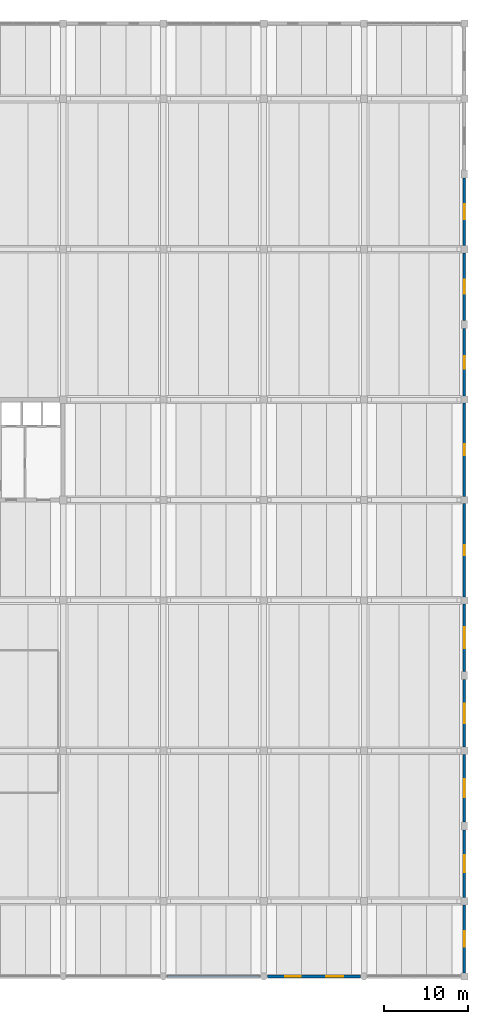
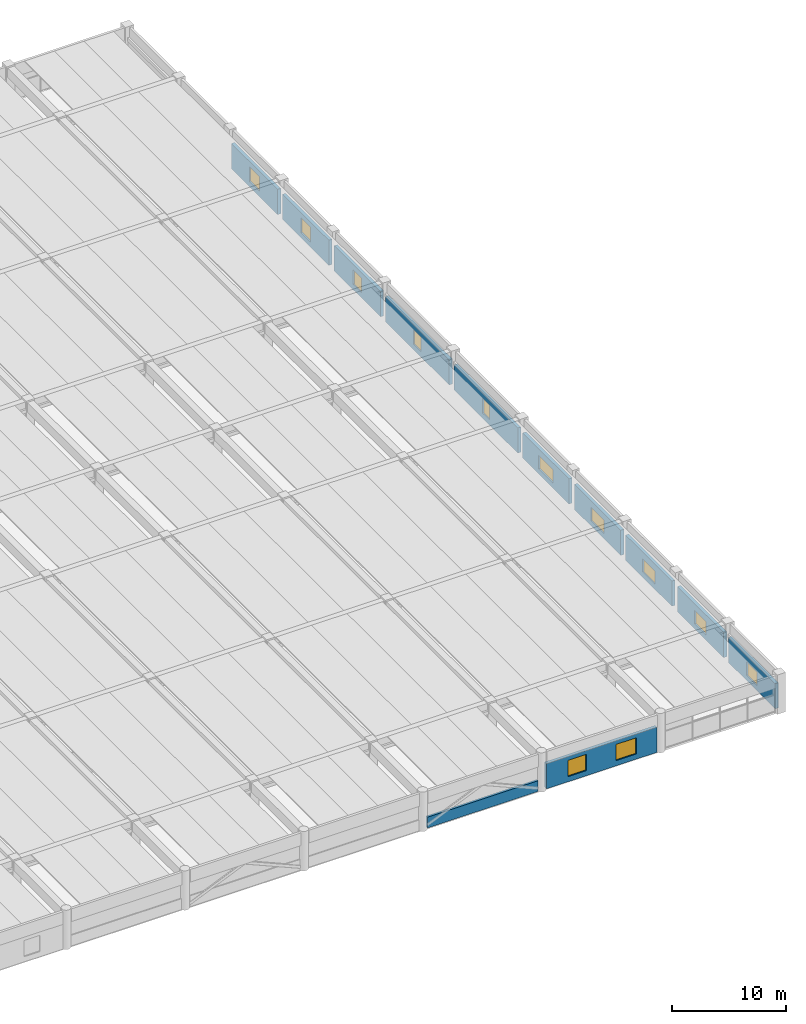
# One storey, part 39 of 50: 12 walls, 12 windows, 12 openings.
"""IFC4 building model written with IfcOpenShell, lengths in metres."""

from ifc_helpers import new_model, si_unit, direction, frame, frame_2d, origin, place, context, subcontext, project, spatial, rectangle, extrude, material, layer, layer_set, type_object, element, fill, save


model = new_model("IFC4")

# Units and contexts
model_context = context("Model", 3, precision=1e-05, world=origin(), true_north=direction((0.0, 1.0)))
body_context = subcontext(model_context, "Body", "Model", "MODEL_VIEW")
ifc_project = project(units=[si_unit("LENGTHUNIT", "METRE"), si_unit("AREAUNIT", "SQUARE_METRE"), si_unit("VOLUMEUNIT", "CUBIC_METRE"), si_unit("PLANEANGLEUNIT", "RADIAN"), si_unit("MASSUNIT", "GRAM", prefix="KILO")], contexts=[model_context])

# Site, building, storey
site_placement = place(None, origin())
site = spatial("IfcSite", under=ifc_project, at=site_placement, CompositionType="ELEMENT")
building_placement = place(site_placement, origin())
building = spatial("IfcBuilding", under=site, at=building_placement, Name="Girod Span Mobility Hub", CompositionType="ELEMENT")
storey_placement = place(building_placement, frame((0.0, 0.0, 5.39990234375)))
storey = spatial("IfcBuildingStorey", under=building, at=storey_placement, Name="L01", CompositionType="ELEMENT", Elevation=5.39990234375)

# Wall, openings, windows
ifc_material_1 = material(Name="Precast Architectural Concrete C40/50", Category="concrete")
ifc_layer_1 = layer(ifc_material_1, 0.320068359375)
ifc_layer_set_1 = layer_set([ifc_layer_1], Name="Precast Architectural Concrete C40/50")
wall_type_1 = type_object("IfcWallType", Name="W-EXT-320", PredefinedType="SOLIDWALL", material=ifc_layer_set_1)
wall_1_placement = place(storey_placement, frame((144.423095703125, 0.0, 0.0), z_axis=(0.0, 0.0, 1.0), x_axis=(1.0, 0.0, 0.0)))
wall_1 = element("IfcWall", 1, at=wall_1_placement, inside=storey, type_object=wall_type_1, Name="Exterior Insulated Precast Wall S-13 L01", PredefinedType="SOLIDWALL", context=body_context, shape_type="SweptSolid", body=[
    extrude(rectangle(XDim=11.15380859375, YDim=0.320068359375, at=frame_2d((5.576904296875, 0.0))), origin(), (0.0, 0.0, 1.0), 2.690185546875),
])
opening_1_placement = place(wall_1_placement, frame((2.169921875, 0.0, 0.550048828125)))
opening_1 = element("IfcOpeningElement", 2, at=opening_1_placement, cuts=wall_1, Name="Opening W-L01-S12A", PredefinedType="OPENING", context=body_context, shape_type="SweptSolid", body=[
    extrude(rectangle(XDim=1.860107421875, YDim=1.739990234375, at=frame_2d((0.93017578125, 0.8701171875))), frame((0.0, 0.175048828125, 0.0), z_axis=(0.0, -1.0, 0.0), x_axis=(1.0, 0.0, 0.0)), (0.0, 0.0, 1.0), 0.35009765625),
])
opening_2_placement = place(wall_1_placement, frame((7.033935546875, 0.0, 0.550048828125)))
opening_2 = element("IfcOpeningElement", 3, at=opening_2_placement, cuts=wall_1, Name="Opening W-L01-S12B", PredefinedType="OPENING", context=body_context, shape_type="SweptSolid", body=[
    extrude(rectangle(XDim=2.0400390625, YDim=1.739990234375, at=frame_2d((1.02001953125, 0.8701171875))), frame((0.0, 0.175048828125, 0.0), z_axis=(0.0, -1.0, 0.0), x_axis=(1.0, 0.0, 0.0)), (0.0, 0.0, 1.0), 0.35009765625),
])
ifc_material_2 = material(Name="Double Low-E Insulated Glazing", Category="glass")
window_type_1 = type_object("IfcWindowType", Name="WN-34", PartitioningType="DOUBLE_PANEL_VERTICAL", PredefinedType="WINDOW", material=ifc_material_2)
window_1_placement = place(opening_1_placement, origin())
window_1 = element("IfcWindow", 4, at=window_1_placement, inside=storey, type_object=window_type_1, Name="Gallery Window WN-34", OverallHeight=1.739990234375, OverallWidth=1.860107421875, PartitioningType="DOUBLE_PANEL_VERTICAL", PredefinedType="WINDOW", context=body_context, shape_type="SweptSolid", body=[
    extrude(rectangle(XDim=1.860107421875, YDim=1.739990234375, at=frame_2d((0.93017578125, 0.8701171875))), frame((0.0, 0.030029296875, 0.0), z_axis=(0.0, -1.0, 0.0), x_axis=(1.0, 0.0, 0.0)), (0.0, 0.0, 1.0), 0.06005859375),
])
fill(opening_1, window_1)
ifc_material_3 = material(Name="Double Low-E Insulated Glazing", Category="glass")
window_type_2 = type_object("IfcWindowType", Name="WN-35", PartitioningType="DOUBLE_PANEL_VERTICAL", PredefinedType="WINDOW", material=ifc_material_3)
window_2_placement = place(opening_2_placement, origin())
window_2 = element("IfcWindow", 5, at=window_2_placement, inside=storey, type_object=window_type_2, Name="Gallery Window WN-35", OverallHeight=1.739990234375, OverallWidth=2.0400390625, PartitioningType="DOUBLE_PANEL_VERTICAL", PredefinedType="WINDOW", context=body_context, shape_type="SweptSolid", body=[
    extrude(rectangle(XDim=2.0400390625, YDim=1.739990234375, at=frame_2d((1.02001953125, 0.8701171875))), frame((0.0, 0.030029296875, 0.0), z_axis=(0.0, -1.0, 0.0), x_axis=(1.0, 0.0, 0.0)), (0.0, 0.0, 1.0), 0.06005859375),
])
fill(opening_2, window_2)

# Wall, opening, window
wall_2_placement = place(storey_placement, frame((168.0, 0.423095703125, 0.0), z_axis=(0.0, 0.0, 1.0), x_axis=(0.0, 1.0, 0.0)))
wall_2 = element("IfcWall", 6, at=wall_2_placement, inside=storey, type_object=wall_type_1, Name="Side Exterior Wall E-A-1 L01", PredefinedType="SOLIDWALL", context=body_context, shape_type="SweptSolid", body=[
    extrude(rectangle(XDim=8.15380859375, YDim=0.320068359375, at=frame_2d((4.076904296875, 0.0))), origin(), (0.0, 0.0, 1.0), 2.690185546875),
])
opening_3_placement = place(wall_2_placement, frame((3.156982421875, 0.0, 0.550048828125)))
opening_3 = element("IfcOpeningElement", 7, at=opening_3_placement, cuts=wall_2, Name="Opening W-L01-E01", PredefinedType="OPENING", context=body_context, shape_type="SweptSolid", body=[
    extrude(rectangle(XDim=1.840087890625, YDim=1.419921875, at=frame_2d((0.919921875, 0.7099609375))), frame((0.0, 0.175048828125, 0.0), z_axis=(0.0, -1.0, 0.0), x_axis=(1.0, 0.0, 0.0)), (0.0, 0.0, 1.0), 0.35009765625),
])
ifc_material_4 = material(Name="Double Low-E Insulated Glazing", Category="glass")
window_type_3 = type_object("IfcWindowType", Name="WN-16", PartitioningType="DOUBLE_PANEL_VERTICAL", PredefinedType="WINDOW", material=ifc_material_4)
window_3_placement = place(opening_3_placement, origin())
window_3 = element("IfcWindow", 8, at=window_3_placement, inside=storey, type_object=window_type_3, Name="Side Facade Window WN-16", OverallHeight=1.419921875, OverallWidth=1.840087890625, PartitioningType="DOUBLE_PANEL_VERTICAL", PredefinedType="WINDOW", context=body_context, shape_type="SweptSolid", body=[
    extrude(rectangle(XDim=1.840087890625, YDim=1.419921875, at=frame_2d((0.919921875, 0.7099609375))), frame((0.0, 0.030029296875, 0.0), z_axis=(0.0, -1.0, 0.0), x_axis=(1.0, 0.0, 0.0)), (0.0, 0.0, 1.0), 0.06005859375),
])
fill(opening_3, window_3)

wall_3_placement = place(storey_placement, frame((168.0, 9.423095703125, 0.0), z_axis=(0.0, 0.0, 1.0), x_axis=(0.0, 1.0, 0.0)))
wall_3 = element("IfcWall", 9, at=wall_3_placement, inside=storey, type_object=wall_type_1, Name="Side Exterior Wall E-B-1 L01", PredefinedType="SOLIDWALL", context=body_context, shape_type="SweptSolid", body=[
    extrude(rectangle(XDim=8.10400390625, YDim=0.320068359375, at=frame_2d((4.052001953125, 0.0))), origin(), (0.0, 0.0, 1.0), 2.690185546875),
])
opening_4_placement = place(wall_3_placement, frame((3.052001953125, 0.0, 0.550048828125)))
opening_4 = element("IfcOpeningElement", 10, at=opening_4_placement, cuts=wall_3, Name="Opening W-L01-E11", PredefinedType="OPENING", context=body_context, shape_type="SweptSolid", body=[
    extrude(rectangle(XDim=2.0, YDim=1.419921875, at=frame_2d((1.0, 0.7099609375))), frame((0.0, 0.175048828125, 0.0), z_axis=(0.0, -1.0, 0.0), x_axis=(1.0, 0.0, 0.0)), (0.0, 0.0, 1.0), 0.35009765625),
])
ifc_material_5 = material(Name="Double Low-E Insulated Glazing", Category="glass")
window_type_4 = type_object("IfcWindowType", Name="WN-17", PartitioningType="DOUBLE_PANEL_VERTICAL", PredefinedType="WINDOW", material=ifc_material_5)
window_4_placement = place(opening_4_placement, origin())
window_4 = element("IfcWindow", 11, at=window_4_placement, inside=storey, type_object=window_type_4, Name="Side Facade Window WN-17", OverallHeight=1.419921875, OverallWidth=2.0, PartitioningType="DOUBLE_PANEL_VERTICAL", PredefinedType="WINDOW", context=body_context, shape_type="SweptSolid", body=[
    extrude(rectangle(XDim=2.0, YDim=1.419921875, at=frame_2d((1.0, 0.7099609375))), frame((0.0, 0.030029296875, 0.0), z_axis=(0.0, -1.0, 0.0), x_axis=(1.0, 0.0, 0.0)), (0.0, 0.0, 1.0), 0.06005859375),
])
fill(opening_4, window_4)

wall_4_placement = place(storey_placement, frame((168.0, 18.472900390625, 0.0), z_axis=(0.0, 0.0, 1.0), x_axis=(0.0, 1.0, 0.0)))
wall_4 = element("IfcWall", 12, at=wall_4_placement, inside=storey, type_object=wall_type_1, Name="Side Exterior Wall E-B-2 L01", PredefinedType="SOLIDWALL", context=body_context, shape_type="SweptSolid", body=[
    extrude(rectangle(XDim=8.10400390625, YDim=0.320068359375, at=frame_2d((4.052001953125, 0.0))), origin(), (0.0, 0.0, 1.0), 2.690185546875),
])
opening_5_placement = place(wall_4_placement, frame((2.971923828125, 0.0, 0.550048828125)))
opening_5 = element("IfcOpeningElement", 13, at=opening_5_placement, cuts=wall_4, Name="Opening W-L01-E12", PredefinedType="OPENING", context=body_context, shape_type="SweptSolid", body=[
    extrude(rectangle(XDim=2.159912109375, YDim=1.419921875, at=frame_2d((1.080078125, 0.7099609375))), frame((0.0, 0.175048828125, 0.0), z_axis=(0.0, -1.0, 0.0), x_axis=(1.0, 0.0, 0.0)), (0.0, 0.0, 1.0), 0.35009765625),
])
ifc_material_6 = material(Name="Double Low-E Insulated Glazing", Category="glass")
window_type_5 = type_object("IfcWindowType", Name="WN-18", PartitioningType="DOUBLE_PANEL_VERTICAL", PredefinedType="WINDOW", material=ifc_material_6)
window_5_placement = place(opening_5_placement, origin())
window_5 = element("IfcWindow", 14, at=window_5_placement, inside=storey, type_object=window_type_5, Name="Side Facade Window WN-18", OverallHeight=1.419921875, OverallWidth=2.159912109375, PartitioningType="DOUBLE_PANEL_VERTICAL", PredefinedType="WINDOW", context=body_context, shape_type="SweptSolid", body=[
    extrude(rectangle(XDim=2.159912109375, YDim=1.419921875, at=frame_2d((1.080078125, 0.7099609375))), frame((0.0, 0.030029296875, 0.0), z_axis=(0.0, -1.0, 0.0), x_axis=(1.0, 0.0, 0.0)), (0.0, 0.0, 1.0), 0.06005859375),
])
fill(opening_5, window_5)

wall_5_placement = place(storey_placement, frame((168.0, 27.423095703125, 0.0), z_axis=(0.0, 0.0, 1.0), x_axis=(0.0, 1.0, 0.0)))
wall_5 = element("IfcWall", 15, at=wall_5_placement, inside=storey, type_object=wall_type_1, Name="Side Exterior Wall E-C-1 L01", PredefinedType="SOLIDWALL", context=body_context, shape_type="SweptSolid", body=[
    extrude(rectangle(XDim=8.10400390625, YDim=0.320068359375, at=frame_2d((4.052001953125, 0.0))), origin(), (0.0, 0.0, 1.0), 2.690185546875),
])
opening_6_placement = place(wall_5_placement, frame((2.89208984375, 0.0, 0.550048828125)))
opening_6 = element("IfcOpeningElement", 16, at=opening_6_placement, cuts=wall_5, Name="Opening W-L01-E21", PredefinedType="OPENING", context=body_context, shape_type="SweptSolid", body=[
    extrude(rectangle(XDim=2.320068359375, YDim=1.419921875, at=frame_2d((1.16015625, 0.7099609375))), frame((0.0, 0.175048828125, 0.0), z_axis=(0.0, -1.0, 0.0), x_axis=(1.0, 0.0, 0.0)), (0.0, 0.0, 1.0), 0.35009765625),
])
ifc_material_7 = material(Name="Double Low-E Insulated Glazing", Category="glass")
window_type_6 = type_object("IfcWindowType", Name="WN-19", PartitioningType="DOUBLE_PANEL_VERTICAL", PredefinedType="WINDOW", material=ifc_material_7)
window_6_placement = place(opening_6_placement, origin())
window_6 = element("IfcWindow", 17, at=window_6_placement, inside=storey, type_object=window_type_6, Name="Side Facade Window WN-19", OverallHeight=1.419921875, OverallWidth=2.320068359375, PartitioningType="DOUBLE_PANEL_VERTICAL", PredefinedType="WINDOW", context=body_context, shape_type="SweptSolid", body=[
    extrude(rectangle(XDim=2.320068359375, YDim=1.419921875, at=frame_2d((1.16015625, 0.7099609375))), frame((0.0, 0.030029296875, 0.0), z_axis=(0.0, -1.0, 0.0), x_axis=(1.0, 0.0, 0.0)), (0.0, 0.0, 1.0), 0.06005859375),
])
fill(opening_6, window_6)

wall_6_placement = place(storey_placement, frame((168.0, 36.472900390625, 0.0), z_axis=(0.0, 0.0, 1.0), x_axis=(0.0, 1.0, 0.0)))
wall_6 = element("IfcWall", 18, at=wall_6_placement, inside=storey, type_object=wall_type_1, Name="Side Exterior Wall E-C-2 L01", PredefinedType="SOLIDWALL", context=body_context, shape_type="SweptSolid", body=[
    extrude(rectangle(XDim=8.10400390625, YDim=0.320068359375, at=frame_2d((4.052001953125, 0.0))), origin(), (0.0, 0.0, 1.0), 2.690185546875),
])
opening_7_placement = place(wall_6_placement, frame((2.81201171875, 0.0, 0.550048828125)))
opening_7 = element("IfcOpeningElement", 19, at=opening_7_placement, cuts=wall_6, Name="Opening W-L01-E22", PredefinedType="OPENING", context=body_context, shape_type="SweptSolid", body=[
    extrude(rectangle(XDim=2.47998046875, YDim=1.419921875, at=frame_2d((1.239990234375, 0.7099609375))), frame((0.0, 0.175048828125, 0.0), z_axis=(0.0, -1.0, 0.0), x_axis=(1.0, 0.0, 0.0)), (0.0, 0.0, 1.0), 0.35009765625),
])
ifc_material_8 = material(Name="Double Low-E Insulated Glazing", Category="glass")
window_type_7 = type_object("IfcWindowType", Name="WN-20", PartitioningType="DOUBLE_PANEL_VERTICAL", PredefinedType="WINDOW", material=ifc_material_8)
window_7_placement = place(opening_7_placement, origin())
window_7 = element("IfcWindow", 20, at=window_7_placement, inside=storey, type_object=window_type_7, Name="Side Facade Window WN-20", OverallHeight=1.419921875, OverallWidth=2.47998046875, PartitioningType="DOUBLE_PANEL_VERTICAL", PredefinedType="WINDOW", context=body_context, shape_type="SweptSolid", body=[
    extrude(rectangle(XDim=2.47998046875, YDim=1.419921875, at=frame_2d((1.239990234375, 0.7099609375))), frame((0.0, 0.030029296875, 0.0), z_axis=(0.0, -1.0, 0.0), x_axis=(1.0, 0.0, 0.0)), (0.0, 0.0, 1.0), 0.06005859375),
])
fill(opening_7, window_7)

wall_7_placement = place(storey_placement, frame((168.0, 45.423095703125, 0.0), z_axis=(0.0, 0.0, 1.0), x_axis=(0.0, 1.0, 0.0)))
wall_7 = element("IfcWall", 21, at=wall_7_placement, inside=storey, type_object=wall_type_1, Name="Side Exterior Wall E-D-1 L01", PredefinedType="SOLIDWALL", context=body_context, shape_type="SweptSolid", body=[
    extrude(rectangle(XDim=11.15380859375, YDim=0.320068359375, at=frame_2d((5.576904296875, 0.0))), origin(), (0.0, 0.0, 1.0), 2.690185546875),
])
opening_8_placement = place(wall_7_placement, frame((4.987060546875, 0.0, 0.550048828125)))
opening_8 = element("IfcOpeningElement", 22, at=opening_8_placement, cuts=wall_7, Name="Opening W-L01-E31", PredefinedType="OPENING", context=body_context, shape_type="SweptSolid", body=[
    extrude(rectangle(XDim=1.179931640625, YDim=1.580078125, at=frame_2d((0.58984375, 0.7900390625))), frame((0.0, 0.175048828125, 0.0), z_axis=(0.0, -1.0, 0.0), x_axis=(1.0, 0.0, 0.0)), (0.0, 0.0, 1.0), 0.35009765625),
])
ifc_material_9 = material(Name="Double Low-E Insulated Glazing", Category="glass")
window_type_8 = type_object("IfcWindowType", Name="WN-21", PartitioningType="SINGLE_PANEL", PredefinedType="WINDOW", material=ifc_material_9)
window_8_placement = place(opening_8_placement, origin())
window_8 = element("IfcWindow", 23, at=window_8_placement, inside=storey, type_object=window_type_8, Name="Side Facade Window WN-21", OverallHeight=1.580078125, OverallWidth=1.179931640625, PartitioningType="SINGLE_PANEL", PredefinedType="WINDOW", context=body_context, shape_type="SweptSolid", body=[
    extrude(rectangle(XDim=1.179931640625, YDim=1.580078125, at=frame_2d((0.58984375, 0.7900390625))), frame((0.0, 0.030029296875, 0.0), z_axis=(0.0, -1.0, 0.0), x_axis=(1.0, 0.0, 0.0)), (0.0, 0.0, 1.0), 0.06005859375),
])
fill(opening_8, window_8)

wall_8_placement = place(storey_placement, frame((168.0, 57.423095703125, 0.0), z_axis=(0.0, 0.0, 1.0), x_axis=(0.0, 1.0, 0.0)))
wall_8 = element("IfcWall", 24, at=wall_8_placement, inside=storey, type_object=wall_type_1, Name="Side Exterior Wall E-E-1 L01", PredefinedType="SOLIDWALL", context=body_context, shape_type="SweptSolid", body=[
    extrude(rectangle(XDim=11.15380859375, YDim=0.320068359375, at=frame_2d((5.576904296875, 0.0))), origin(), (0.0, 0.0, 1.0), 2.690185546875),
])
opening_9_placement = place(wall_8_placement, frame((4.906982421875, 0.0, 0.550048828125)))
opening_9 = element("IfcOpeningElement", 25, at=opening_9_placement, cuts=wall_8, Name="Opening W-L01-E41", PredefinedType="OPENING", context=body_context, shape_type="SweptSolid", body=[
    extrude(rectangle(XDim=1.340087890625, YDim=1.580078125, at=frame_2d((0.669921875, 0.7900390625))), frame((0.0, 0.175048828125, 0.0), z_axis=(0.0, -1.0, 0.0), x_axis=(1.0, 0.0, 0.0)), (0.0, 0.0, 1.0), 0.35009765625),
])
ifc_material_10 = material(Name="Double Low-E Insulated Glazing", Category="glass")
window_type_9 = type_object("IfcWindowType", Name="WN-22", PartitioningType="SINGLE_PANEL", PredefinedType="WINDOW", material=ifc_material_10)
window_9_placement = place(opening_9_placement, origin())
window_9 = element("IfcWindow", 26, at=window_9_placement, inside=storey, type_object=window_type_9, Name="Side Facade Window WN-22", OverallHeight=1.580078125, OverallWidth=1.340087890625, PartitioningType="SINGLE_PANEL", PredefinedType="WINDOW", context=body_context, shape_type="SweptSolid", body=[
    extrude(rectangle(XDim=1.340087890625, YDim=1.580078125, at=frame_2d((0.669921875, 0.7900390625))), frame((0.0, 0.030029296875, 0.0), z_axis=(0.0, -1.0, 0.0), x_axis=(1.0, 0.0, 0.0)), (0.0, 0.0, 1.0), 0.06005859375),
])
fill(opening_9, window_9)

wall_9_placement = place(storey_placement, frame((168.0, 69.423095703125, 0.0), z_axis=(0.0, 0.0, 1.0), x_axis=(0.0, 1.0, 0.0)))
wall_9 = element("IfcWall", 27, at=wall_9_placement, inside=storey, type_object=wall_type_1, Name="Side Exterior Wall E-F-1 L01", PredefinedType="SOLIDWALL", context=body_context, shape_type="SweptSolid", body=[
    extrude(rectangle(XDim=8.10400390625, YDim=0.320068359375, at=frame_2d((4.052001953125, 0.0))), origin(), (0.0, 0.0, 1.0), 2.690185546875),
])
opening_10_placement = place(wall_9_placement, frame((3.302001953125, 0.0, 0.550048828125)))
opening_10 = element("IfcOpeningElement", 28, at=opening_10_placement, cuts=wall_9, Name="Opening W-L01-E51", PredefinedType="OPENING", context=body_context, shape_type="SweptSolid", body=[
    extrude(rectangle(XDim=1.5, YDim=1.580078125, at=frame_2d((0.75, 0.7900390625))), frame((0.0, 0.175048828125, 0.0), z_axis=(0.0, -1.0, 0.0), x_axis=(1.0, 0.0, 0.0)), (0.0, 0.0, 1.0), 0.35009765625),
])
ifc_material_11 = material(Name="Double Low-E Insulated Glazing", Category="glass")
window_type_10 = type_object("IfcWindowType", Name="WN-23", PartitioningType="SINGLE_PANEL", PredefinedType="WINDOW", material=ifc_material_11)
window_10_placement = place(opening_10_placement, origin())
window_10 = element("IfcWindow", 29, at=window_10_placement, inside=storey, type_object=window_type_10, Name="Side Facade Window WN-23", OverallHeight=1.580078125, OverallWidth=1.5, PartitioningType="SINGLE_PANEL", PredefinedType="WINDOW", context=body_context, shape_type="SweptSolid", body=[
    extrude(rectangle(XDim=1.5, YDim=1.580078125, at=frame_2d((0.75, 0.7900390625))), frame((0.0, 0.030029296875, 0.0), z_axis=(0.0, -1.0, 0.0), x_axis=(1.0, 0.0, 0.0)), (0.0, 0.0, 1.0), 0.06005859375),
])
fill(opening_10, window_10)

wall_10_placement = place(storey_placement, frame((168.0, 78.472900390625, 0.0), z_axis=(0.0, 0.0, 1.0), x_axis=(0.0, 1.0, 0.0)))
wall_10 = element("IfcWall", 30, at=wall_10_placement, inside=storey, type_object=wall_type_1, Name="Side Exterior Wall E-F-2 L01", PredefinedType="SOLIDWALL", context=body_context, shape_type="SweptSolid", body=[
    extrude(rectangle(XDim=8.10400390625, YDim=0.320068359375, at=frame_2d((4.052001953125, 0.0))), origin(), (0.0, 0.0, 1.0), 2.690185546875),
])
opening_11_placement = place(wall_10_placement, frame((3.221923828125, 0.0, 0.550048828125)))
opening_11 = element("IfcOpeningElement", 31, at=opening_11_placement, cuts=wall_10, Name="Opening W-L01-E52", PredefinedType="OPENING", context=body_context, shape_type="SweptSolid", body=[
    extrude(rectangle(XDim=1.659912109375, YDim=1.580078125, at=frame_2d((0.830078125, 0.7900390625))), frame((0.0, 0.175048828125, 0.0), z_axis=(0.0, -1.0, 0.0), x_axis=(1.0, 0.0, 0.0)), (0.0, 0.0, 1.0), 0.35009765625),
])
ifc_material_12 = material(Name="Double Low-E Insulated Glazing", Category="glass")
window_type_11 = type_object("IfcWindowType", Name="WN-24", PartitioningType="SINGLE_PANEL", PredefinedType="WINDOW", material=ifc_material_12)
window_11_placement = place(opening_11_placement, origin())
window_11 = element("IfcWindow", 32, at=window_11_placement, inside=storey, type_object=window_type_11, Name="Side Facade Window WN-24", OverallHeight=1.580078125, OverallWidth=1.659912109375, PartitioningType="SINGLE_PANEL", PredefinedType="WINDOW", context=body_context, shape_type="SweptSolid", body=[
    extrude(rectangle(XDim=1.659912109375, YDim=1.580078125, at=frame_2d((0.830078125, 0.7900390625))), frame((0.0, 0.030029296875, 0.0), z_axis=(0.0, -1.0, 0.0), x_axis=(1.0, 0.0, 0.0)), (0.0, 0.0, 1.0), 0.06005859375),
])
fill(opening_11, window_11)

wall_11_placement = place(storey_placement, frame((168.0, 87.423095703125, 0.0), z_axis=(0.0, 0.0, 1.0), x_axis=(0.0, 1.0, 0.0)))
wall_11 = element("IfcWall", 33, at=wall_11_placement, inside=storey, type_object=wall_type_1, Name="Side Exterior Wall E-G-1 L01", PredefinedType="SOLIDWALL", context=body_context, shape_type="SweptSolid", body=[
    extrude(rectangle(XDim=8.10400390625, YDim=0.320068359375, at=frame_2d((4.052001953125, 0.0))), origin(), (0.0, 0.0, 1.0), 2.690185546875),
])
opening_12_placement = place(wall_11_placement, frame((3.14208984375, 0.0, 0.550048828125)))
opening_12 = element("IfcOpeningElement", 34, at=opening_12_placement, cuts=wall_11, Name="Opening W-L01-E61", PredefinedType="OPENING", context=body_context, shape_type="SweptSolid", body=[
    extrude(rectangle(XDim=1.820068359375, YDim=1.580078125, at=frame_2d((0.91015625, 0.7900390625))), frame((0.0, 0.175048828125, 0.0), z_axis=(0.0, -1.0, 0.0), x_axis=(1.0, 0.0, 0.0)), (0.0, 0.0, 1.0), 0.35009765625),
])
ifc_material_13 = material(Name="Double Low-E Insulated Glazing", Category="glass")
window_type_12 = type_object("IfcWindowType", Name="WN-25", PartitioningType="DOUBLE_PANEL_VERTICAL", PredefinedType="WINDOW", material=ifc_material_13)
window_12_placement = place(opening_12_placement, origin())
window_12 = element("IfcWindow", 35, at=window_12_placement, inside=storey, type_object=window_type_12, Name="Side Facade Window WN-25", OverallHeight=1.580078125, OverallWidth=1.820068359375, PartitioningType="DOUBLE_PANEL_VERTICAL", PredefinedType="WINDOW", context=body_context, shape_type="SweptSolid", body=[
    extrude(rectangle(XDim=1.820068359375, YDim=1.580078125, at=frame_2d((0.91015625, 0.7900390625))), frame((0.0, 0.030029296875, 0.0), z_axis=(0.0, -1.0, 0.0), x_axis=(1.0, 0.0, 0.0)), (0.0, 0.0, 1.0), 0.06005859375),
])
fill(opening_12, window_12)

# Wall
ifc_material_14 = material(Name="Precast Architectural Concrete C40/50", Category="concrete")
ifc_layer_2 = layer(ifc_material_14, 0.239990234375)
ifc_layer_set_2 = layer_set([ifc_layer_2], Name="Precast Architectural Concrete C40/50")
wall_type_2 = type_object("IfcWallType", Name="W-PAR-240", PredefinedType="PARAPET", material=ifc_layer_set_2)
wall_12_placement = place(storey_placement, frame((132.423095703125, 0.0, 0.0), z_axis=(0.0, 0.0, 1.0), x_axis=(1.0, 0.0, 0.0)))
element("IfcWall", 36, at=wall_12_placement, inside=storey, type_object=wall_type_2, Name="Precast Parking Barrier Parapet S-12 L01", PredefinedType="PARAPET", context=body_context, shape_type="SweptSolid", body=[
    extrude(rectangle(XDim=11.15380859375, YDim=0.239990234375, at=frame_2d((5.576904296875, 0.0))), origin(), (0.0, 0.0, 1.0), 1.150146484375),
])

save(model, "model.ifc")
